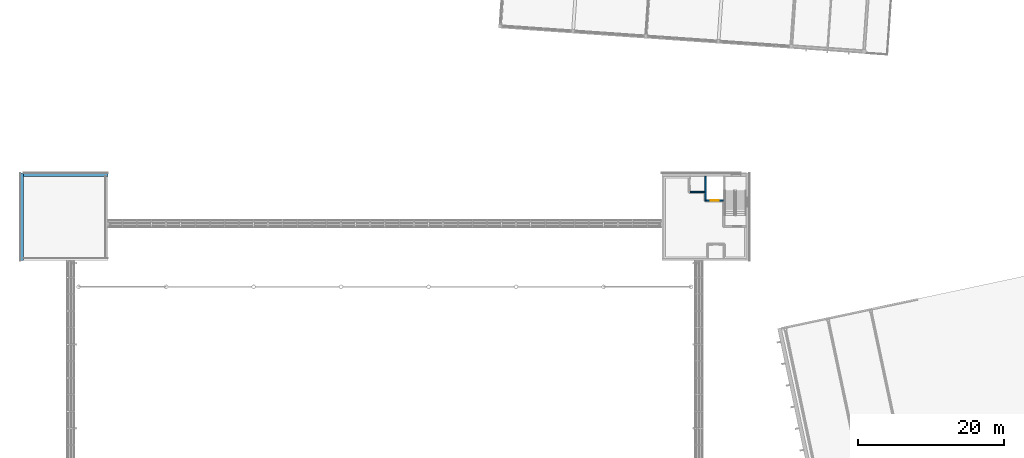
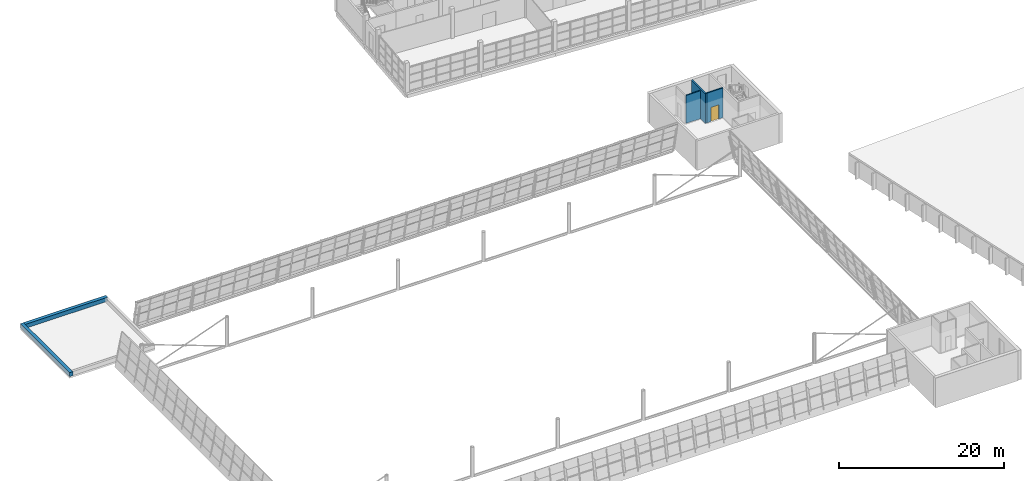
# One storey, part 33 of 50: 5 walls, 1 door, 1 opening.
"""IFC4 building model written with IfcOpenShell, lengths in metres."""

from ifc_helpers import new_model, si_unit, direction, frame, frame_2d, origin, place, context, subcontext, project, spatial, rectangle, extrude, material, layer, layer_set, type_object, element, fill, save


model = new_model("IFC4")

# Units and contexts
model_context = context("Model", 3, precision=1e-05, world=origin(), true_north=direction((0.0, 1.0)))
body_context = subcontext(model_context, "Body", "Model", "MODEL_VIEW")
ifc_project = project(units=[si_unit("LENGTHUNIT", "METRE"), si_unit("AREAUNIT", "SQUARE_METRE"), si_unit("VOLUMEUNIT", "CUBIC_METRE"), si_unit("PLANEANGLEUNIT", "RADIAN"), si_unit("MASSUNIT", "GRAM", prefix="KILO")], contexts=[model_context])

# Site, building, storey
site_placement = place(None, origin())
site = spatial("IfcSite", under=ifc_project, at=site_placement, CompositionType="ELEMENT")
building_placement = place(site_placement, origin())
building = spatial("IfcBuilding", under=site, at=building_placement, Name="Windward Yard Aquatics Centre", CompositionType="ELEMENT")
storey_placement = place(building_placement, frame((0.0, 0.0, 18.199951171875)))
storey = spatial("IfcBuildingStorey", under=building, at=storey_placement, Name="L04", CompositionType="ELEMENT", Elevation=18.199951171875)

# Wall
ifc_material_1 = material(Name="Concrete C35/45", Category="concrete")
ifc_layer_1 = layer(ifc_material_1, 0.199951171875)
ifc_layer_set_1 = layer_set([ifc_layer_1], Name="H Enclosure Wall Concrete C35/45 200")
wall_type_1 = type_object("IfcWallType", Name="H Enclosure Wall Concrete C35/45 200", PredefinedType="SOLIDWALL", material=ifc_layer_set_1)
wall_1_placement = place(storey_placement, frame((146.0, 95.550048828125, 0.0), z_axis=(0.0, 0.0, 1.0), x_axis=(0.0, -1.0, 0.0)))
element("IfcWall", 1, at=wall_1_placement, inside=storey, type_object=wall_type_1, Name="L04 W3 enclosure wall NE", PredefinedType="SOLIDWALL", context=body_context, shape_type="SweptSolid", body=[
    extrude(rectangle(XDim=3.400146484375, YDim=0.199951171875, at=frame_2d((1.7001953125, 0.0))), origin(), (0.0, 0.0, 1.0), 4.400146484375),
])

# Wall, opening, door
wall_2_placement = place(storey_placement, frame((148.39990234375, 92.25, 0.0), z_axis=(0.0, 0.0, 1.0), x_axis=(-1.0, 0.0, 0.0)))
wall_2 = element("IfcWall", 2, at=wall_2_placement, inside=storey, type_object=wall_type_1, Name="L04 W4 enclosure wall NE", PredefinedType="SOLIDWALL", context=body_context, shape_type="SweptSolid", body=[
    extrude(rectangle(XDim=2.2998046875, YDim=0.199951171875, at=frame_2d((1.14990234375, 0.0))), origin(), (0.0, 0.0, 1.0), 4.400146484375),
])
opening_placement = place(wall_2_placement, frame((0.60009765625, 0.0, 0.0)))
opening = element("IfcOpeningElement", 3, at=opening_placement, cuts=wall_2, Name="Opening H4010", PredefinedType="OPENING", context=body_context, shape_type="SweptSolid", body=[
    extrude(rectangle(XDim=1.10009765625, YDim=2.10009765625, at=frame_2d((0.550048828125, 1.050048828125))), frame((0.0, 0.10986328125, 0.0), z_axis=(0.0, -1.0, 0.0), x_axis=(1.0, 0.0, 0.0)), (0.0, 0.0, 1.0), 0.219970703125),
])
ifc_material_2 = material(Name="Stainless steel 1.4301", Category="steel")
door_type = type_object("IfcDoorType", Name="H Lift Landing Door 1100 x 2100", OperationType="DOUBLE_DOOR_SLIDING", PredefinedType="DOOR", material=ifc_material_2)
door_placement = place(opening_placement, origin())
door = element("IfcDoor", 4, at=door_placement, inside=storey, type_object=door_type, Name="Lift NE landing door L04", OperationType="DOUBLE_DOOR_SLIDING", OverallHeight=2.10009765625, OverallWidth=1.10009765625, PredefinedType="DOOR", context=body_context, shape_type="SweptSolid", body=[
    extrude(rectangle(XDim=1.10009765625, YDim=2.10009765625, at=frame_2d((0.550048828125, 1.050048828125))), frame((0.0, 0.02490234375, 0.0), z_axis=(0.0, -1.0, 0.0), x_axis=(1.0, 0.0, 0.0)), (0.0, 0.0, 1.0), 0.050048828125),
])
fill(opening, door)

# Walls
ifc_material_3 = material(Name="Blockwork 150 mm", Category="masonry")
ifc_layer_2 = layer(ifc_material_3, 0.14990234375)
ifc_layer_set_2 = layer_set([ifc_layer_2], Name="H Partition Blockwork 150")
wall_type_2 = type_object("IfcWallType", Name="H Partition Blockwork 150", PredefinedType="PARTITIONING", material=ifc_layer_set_2)
wall_3_placement = place(storey_placement, frame((145.89990234375, 93.39990234375, 0.0), z_axis=(0.0, 0.0, 1.0), x_axis=(-1.0, 0.0, 0.0)))
element("IfcWall", 5, at=wall_3_placement, inside=storey, type_object=wall_type_2, Name="L04 R1N riser wall NE", PredefinedType="PARTITIONING", context=body_context, shape_type="SweptSolid", body=[
    extrude(rectangle(XDim=2.02490234375, YDim=0.14990234375, at=frame_2d((1.012451171875, 0.0))), origin(), (0.0, 0.0, 1.0), 4.150146484375),
])
ifc_layer_3 = layer(ifc_material_1, 0.300048828125)
ifc_layer_set_3 = layer_set([ifc_layer_3], Name="H core parapet 300 C35/45")
wall_type_3 = type_object("IfcWallType", Name="H core parapet 300 C35/45", PredefinedType="PARAPET", material=ifc_layer_set_3)
wall_4_placement = place(storey_placement, frame((52.22509765625, 96.0, 0.25), z_axis=(0.0, 0.0, 1.0), x_axis=(0.0, -1.0, 0.0)))
element("IfcWall", 6, at=wall_4_placement, inside=storey, type_object=wall_type_3, Name="H.CP.NW.W", PredefinedType="PARAPET", context=body_context, shape_type="SweptSolid", body=[
    extrude(rectangle(XDim=12.0, YDim=0.449951171875, at=frame_2d((6.0, 0.0))), origin(), (0.0, 0.0, 1.0), 0.60009765625),
])
wall_5_placement = place(storey_placement, frame((52.449951171875, 95.77490234375, 0.25), z_axis=(0.0, 0.0, 1.0), x_axis=(1.0, 0.0, 0.0)))
element("IfcWall", 7, at=wall_5_placement, inside=storey, type_object=wall_type_3, Name="H.CP.NW.N", PredefinedType="PARAPET", context=body_context, shape_type="SweptSolid", body=[
    extrude(rectangle(XDim=11.550048828125, YDim=0.449951171875, at=frame_2d((5.77490234375, 0.0))), origin(), (0.0, 0.0, 1.0), 0.60009765625),
])

save(model, "model.ifc")
